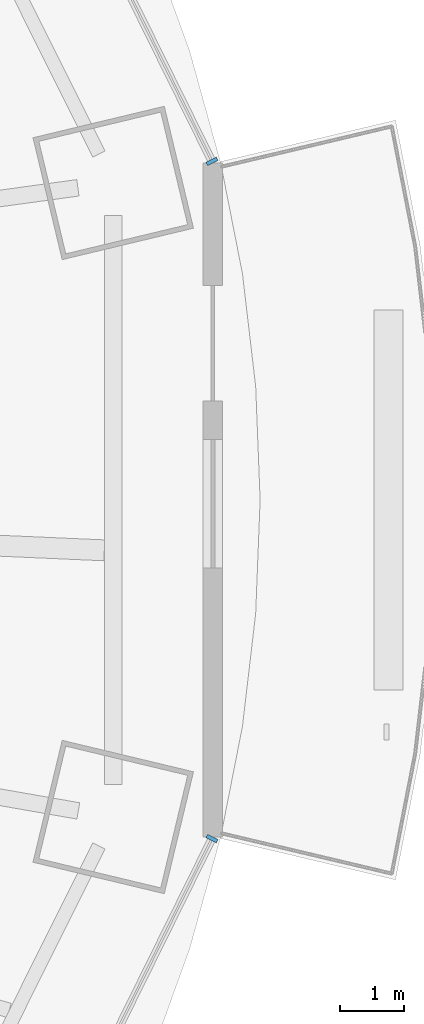
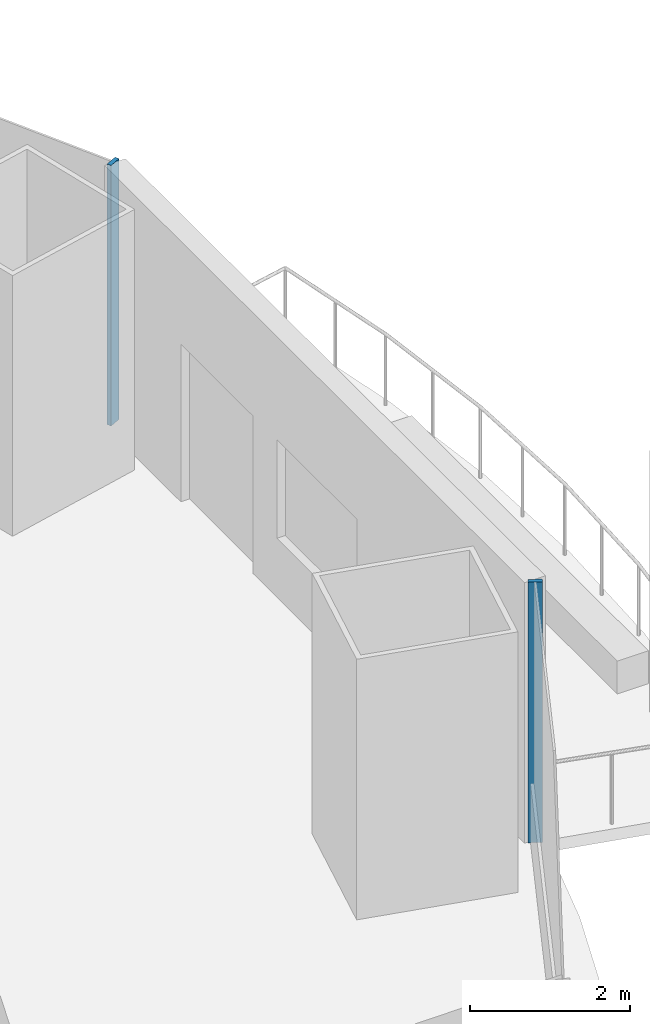
# One storey, part 9 of 20: 2 members, 2 elements without a shape of their own.
"""IFC4 building model written with IfcOpenShell, lengths in metres."""

from ifc_helpers import new_model, si_unit, direction, frame, origin, origin_2d, place, context, subcontext, project, spatial, rectangle, extrude, material, material_profile, profile_set, type_object, element, aggregate, save


model = new_model("IFC4")

# Units and contexts
model_context = context("Model", 3, precision=1e-05, world=origin(), true_north=direction((0.0, 1.0)))
body_context = subcontext(model_context, "Body", "Model", "MODEL_VIEW")
ifc_project = project(units=[si_unit("LENGTHUNIT", "METRE"), si_unit("AREAUNIT", "SQUARE_METRE"), si_unit("VOLUMEUNIT", "CUBIC_METRE"), si_unit("PLANEANGLEUNIT", "RADIAN"), si_unit("MASSUNIT", "GRAM", prefix="KILO")], contexts=[model_context])

# Site, building, storey
site_placement = place(None, origin())
site = spatial("IfcSite", under=ifc_project, at=site_placement, CompositionType="ELEMENT")
building_placement = place(site_placement, origin())
building = spatial("IfcBuilding", under=site, at=building_placement, Name="Marenthal Gate Tower", CompositionType="ELEMENT")
storey_placement = place(building_placement, frame((0.0, 0.0, 190.10009765625)))
storey = spatial("IfcBuildingStorey", under=building, at=storey_placement, Name="L41", CompositionType="ELEMENT", Elevation=190.10009765625)

# Curtain wall, member
ifc_material_1 = material(Name="Aluminium and glass", Category="aluminium")
curtain_wall_type = type_object("IfcCurtainWallType", Name="Curtain wall typical mid", PredefinedType="NOTDEFINED", material=ifc_material_1)
curtain_wall_1_placement = place(storey_placement, origin())
curtain_wall_1 = element("IfcCurtainWall", 1, at=curtain_wall_1_placement, inside=storey, type_object=curtain_wall_type, Name="Curtain wall L41 bay 1", PredefinedType="NOTDEFINED")
ifc_material_2 = material(Name="Aluminium", Category="aluminium")
ifc_material_profile = material_profile(ifc_material_2, rectangle(XDim=0.179931640625, YDim=0.06005859375, at=origin_2d()), Name="60x180 aluminium mullion")
ifc_profile_set = profile_set([ifc_material_profile], Name="Aluminium")
member_type = type_object("IfcMemberType", Name="Mullion 60x180 typical mid", PredefinedType="MULLION", material=ifc_profile_set)
member_1_placement = place(storey_placement, frame((33.1865234375, 4.667236328125, 0.0), z_axis=(0.0, 0.0, 1.0), x_axis=(-0.896680826174, -0.442677643406, 0.0)))
member_1 = element("IfcMember", 2, at=member_1_placement, type_object=member_type, Name="Mullion L41 bay 1.1", PredefinedType="MULLION", context=body_context, shape_type="SweptSolid", body=[
    extrude(rectangle(XDim=0.179931640625, YDim=0.06005859375, at=origin_2d()), origin(), (0.0, 0.0, 1.0), 3.969970703125),
])
aggregate(curtain_wall_1, [member_1])

curtain_wall_2_placement = place(storey_placement, origin())
curtain_wall_2 = element("IfcCurtainWall", 3, at=curtain_wall_2_placement, inside=storey, type_object=curtain_wall_type, Name="Curtain wall L41 bay 15", PredefinedType="NOTDEFINED")
member_2_placement = place(storey_placement, frame((33.1865234375, -5.8671875, 0.0), z_axis=(0.0, 0.0, 1.0), x_axis=(-0.896680826174, 0.442677643406, 0.0)))
member_2 = element("IfcMember", 4, at=member_2_placement, type_object=member_type, Name="Mullion L41 bay 15.3", PredefinedType="MULLION", context=body_context, shape_type="SweptSolid", body=[
    extrude(rectangle(XDim=0.179931640625, YDim=0.06005859375, at=origin_2d()), origin(), (0.0, 0.0, 1.0), 3.969970703125),
])
aggregate(curtain_wall_2, [member_2])

save(model, "model.ifc")
